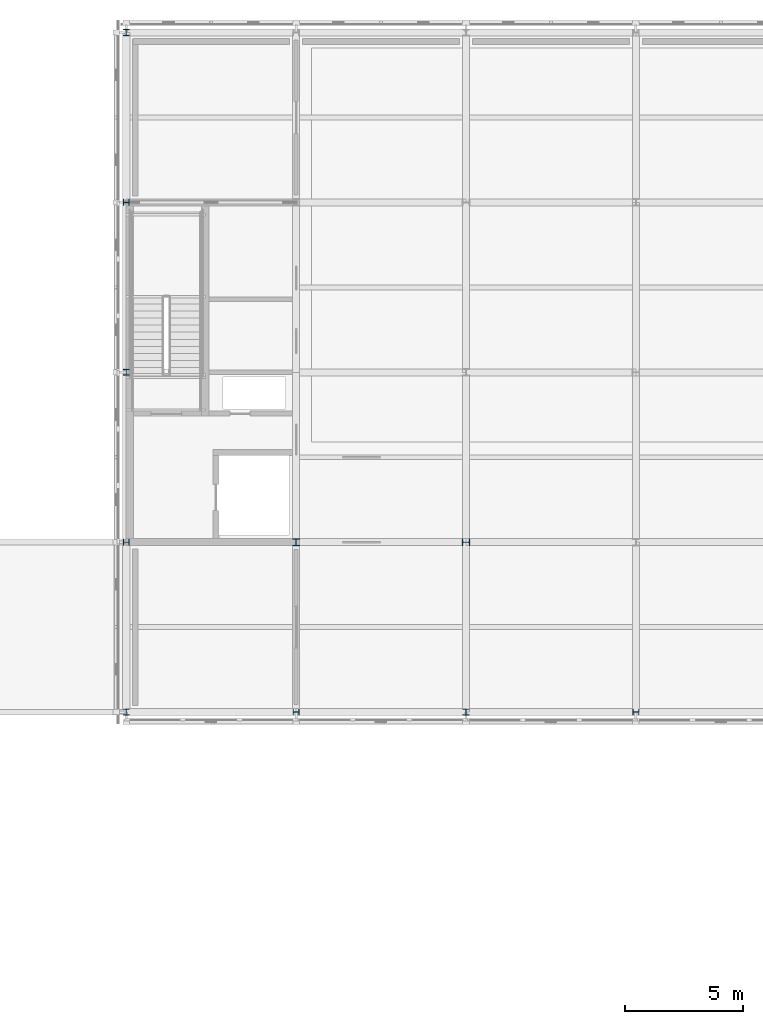
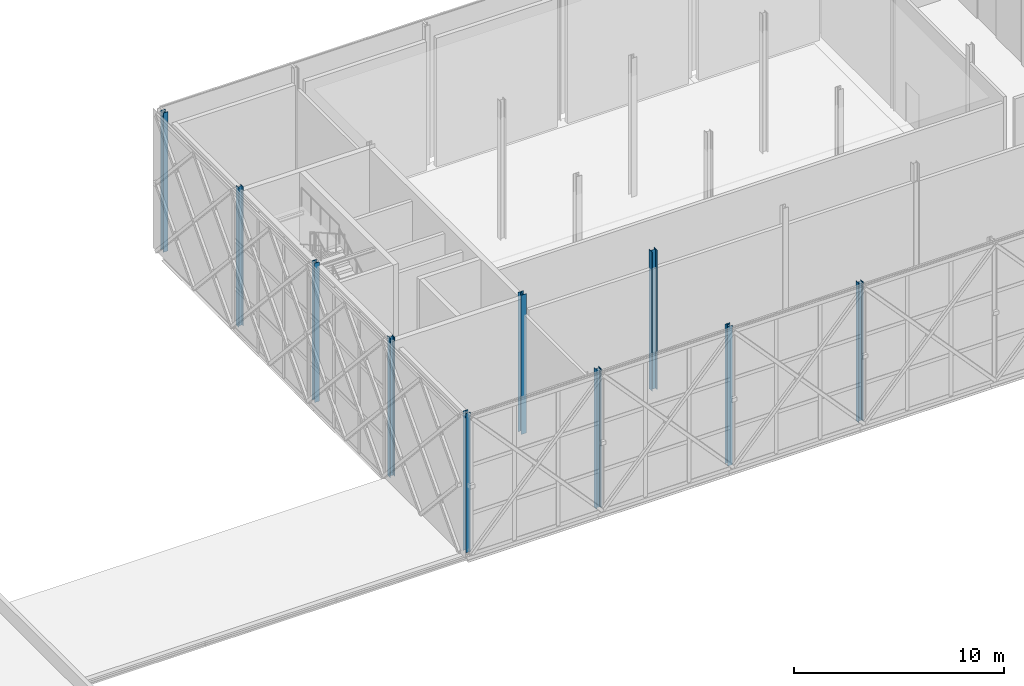
# One storey, part 4 of 76: 10 columns.
"""IFC4 building model written with IfcOpenShell, lengths in metres."""

import ifcopenshell
import ifcopenshell.guid

model = None  # the IFC model being written
_history = None  # IfcOwnerHistory: only IFC2X3 demands one
_inside = {}  # id of a spatial element -> (the spatial element, [elements in it])
_under = {}  # id of a project, library or spatial element -> (it, [spatial elements below it])
_declared = {}  # id of a project -> (the project, [libraries it declares])
_typed = {}  # id of a type object -> (the type object, [elements of that type])
_made_of = {}  # id of a material, layer set ... -> (it, [elements and type objects made of it])


def new_model(schema):
    """Start an empty IFC model of exactly this schema.

    Asked for "IFC4X3", IfcOpenShell would pick the latest addendum, in which some entities
    have other attributes; the version numbers below select the first issue.
    IFC2X3 requires an IfcOwnerHistory on every rooted entity: one is made here for all.
    """
    global model, _history
    if schema == "IFC4X3":
        model = ifcopenshell.file(schema_version=(4, 3, 0, 0))
    else:
        model = ifcopenshell.file(schema=schema)
    _inside.clear()
    _under.clear()
    _declared.clear()
    _typed.clear()
    _made_of.clear()
    _history = None
    if model.schema == "IFC2X3":
        org = make("IfcOrganization", Name="unknown")
        user = make(
            "IfcPersonAndOrganization",
            ThePerson=make("IfcPerson", FamilyName="unknown"),
            TheOrganization=org,
        )
        app = make(
            "IfcApplication",
            ApplicationDeveloper=org,
            Version="unknown",
            ApplicationFullName="unknown",
            ApplicationIdentifier="unknown",
        )
        _history = make(
            "IfcOwnerHistory",
            OwningUser=user,
            OwningApplication=app,
            ChangeAction="ADDED",
            CreationDate=0,
        )
    return model


def make(cls, **values):
    """One entity of the class cls with the attributes given. An attribute that is None is left unset."""
    return model.create_entity(
        cls, **{name: value for name, value in values.items() if value is not None}
    )


def rooted(cls, **values):
    """An entity with a GlobalId (a new one), such as an element, a storey or a relation."""
    return make(cls, GlobalId=ifcopenshell.guid.new(), OwnerHistory=_history, **values)


def si_unit(unit_type, name, prefix=None):
    """IfcSIUnit, for example si_unit("LENGTHUNIT", "METRE", prefix="MILLI")."""
    return make("IfcSIUnit", UnitType=unit_type, Prefix=prefix, Name=name)


def assignment(units):
    """IfcUnitAssignment: the units of a project."""
    return None if units is None else make("IfcUnitAssignment", Units=units)


def point(xyz):
    """IfcCartesianPoint."""
    return None if xyz is None else make("IfcCartesianPoint", Coordinates=xyz)


def direction(xyz):
    """IfcDirection."""
    return None if xyz is None else make("IfcDirection", DirectionRatios=xyz)


def frame(location, z_axis=None, x_axis=None):
    """IfcAxis2Placement3D, a coordinate frame: its origin and axes. An axis left out is left unset."""
    return make(
        "IfcAxis2Placement3D",
        Location=point(location),
        Axis=direction(z_axis),
        RefDirection=direction(x_axis),
    )


def frame_2d(location, x_axis=None):
    """IfcAxis2Placement2D, a coordinate frame in the plane: its origin and x axis."""
    return make(
        "IfcAxis2Placement2D", Location=point(location), RefDirection=direction(x_axis)
    )


def origin():
    """The frame at (0, 0, 0) with its axes left unset."""
    return frame((0.0, 0.0, 0.0))


def origin_2d():
    """The frame at (0, 0) in the plane with its x axis left unset."""
    return frame_2d((0.0, 0.0))


def place(relative_to, where):
    """IfcLocalPlacement: puts the frame where relative to a parent placement (None: the world)."""
    return make(
        "IfcLocalPlacement", PlacementRelTo=relative_to, RelativePlacement=where
    )


def context(
    kind, dimensions, precision=None, world=None, true_north=None, identifier=None
):
    """IfcGeometricRepresentationContext, for example the 3D "Model" context."""
    return make(
        "IfcGeometricRepresentationContext",
        ContextIdentifier=identifier,
        ContextType=kind,
        CoordinateSpaceDimension=dimensions,
        Precision=precision,
        WorldCoordinateSystem=world,
        TrueNorth=true_north,
    )


def subcontext(parent, identifier, kind, view, scale=None):
    """IfcGeometricRepresentationSubContext, for example "Body" below "Model"."""
    return make(
        "IfcGeometricRepresentationSubContext",
        ContextIdentifier=identifier,
        ContextType=kind,
        ParentContext=parent,
        TargetScale=scale,
        TargetView=view,
    )


def project(units=None, contexts=None):
    """IfcProject with its units and contexts."""
    return rooted(
        "IfcProject",
        Name="project",
        RepresentationContexts=contexts,
        UnitsInContext=assignment(units),
    )


def spatial(cls, under=None, at=None, **own):
    """A site, building, storey or space (cls), placed at a placement, below another one or the project."""
    s = rooted(cls, ObjectPlacement=at, **own)
    if under is not None:
        _under.setdefault(under.id(), (under, []))[1].append(s)
    return s


def profile(cls, at=None, kind="AREA", **sizes):
    """A parametric profile (cls). Its sizes go by their IFC names, for example OverallWidth=200.0."""
    return make(cls, ProfileType=kind, Position=at, **sizes)


def i_section(**sizes):
    """IfcIShapeProfileDef."""
    return profile("IfcIShapeProfileDef", **sizes)


def extrude(swept, where, along, depth):
    """IfcExtrudedAreaSolid: the profile swept, set in the frame where, extruded along a direction by depth."""
    return make(
        "IfcExtrudedAreaSolid",
        SweptArea=swept,
        Position=where,
        ExtrudedDirection=direction(along),
        Depth=depth,
    )


def shape(context_of_items, identifier, shape_type, items):
    """IfcShapeRepresentation: the items that make up one representation, for example the "Body"."""
    return make(
        "IfcShapeRepresentation",
        ContextOfItems=context_of_items,
        RepresentationIdentifier=identifier,
        RepresentationType=shape_type,
        Items=items,
    )


def material(Name=None, Category=None):
    """IfcMaterial."""
    return make("IfcMaterial", Name=Name, Category=Category)


def material_profile(
    of_material, cross_section, Name=None, Category=None, Priority=None
):
    """IfcMaterialProfile: a cross section and its material."""
    return make(
        "IfcMaterialProfile",
        Name=Name,
        Material=of_material,
        Profile=cross_section,
        Priority=Priority,
        Category=Category,
    )


def profile_set(profiles, Name=None, composite=None):
    """IfcMaterialProfileSet."""
    return make(
        "IfcMaterialProfileSet",
        Name=Name,
        MaterialProfiles=profiles,
        CompositeProfile=composite,
    )


def made_of(thing, what):
    """Note that an element or type object is made of a material, layer set ...; save() writes the relation."""
    if what is not None:
        _made_of.setdefault(what.id(), (what, []))[1].append(thing)
    return thing


def type_object(cls, material=None, **own):
    """A type object (cls), such as IfcWallType, which elements share."""
    return made_of(rooted(cls, **own), material)


def element(
    cls,
    number,
    at=None,
    inside=None,
    cuts=None,
    type_object=None,
    material=None,
    context=None,
    identifier="Body",
    shape_type=None,
    held_by="IfcProductDefinitionShape",
    body=None,
    shapes=None,
    **own,
):
    """One element of the class cls, such as IfcWall. Its Tag is "e" and its number.

    at: its placement. inside: the storey or other place that contains it. cuts: it is an
    opening in that element (IfcRelVoidsElement). A single representation is given by context,
    identifier, shape_type and body (its items); several are given by shapes. held_by: the class
    of the entity that holds the representations. save() writes the other relations.
    """
    e = rooted(cls, Tag="e%d" % number, ObjectPlacement=at, **own)
    if body is not None:
        shapes = [shape(context, identifier, shape_type, body)]
    if shapes is not None:
        e.Representation = make(held_by, Representations=shapes)
    if inside is not None:
        _inside.setdefault(inside.id(), (inside, []))[1].append(e)
    if cuts is not None:
        rooted(
            "IfcRelVoidsElement", RelatingBuildingElement=cuts, RelatedOpeningElement=e
        )
    if type_object is not None:
        _typed.setdefault(type_object.id(), (type_object, []))[1].append(e)
    return made_of(e, material)


def aggregate(whole, parts):
    """IfcRelAggregates: a whole, such as a stair, and the parts it consists of."""
    return rooted("IfcRelAggregates", RelatingObject=whole, RelatedObjects=parts)


def save(model, path):
    """Write the relations noted so far, then the file.

    IfcRelAggregates (storeys below a building ...), IfcRelContainedInSpatialStructure (elements
    in a storey), IfcRelDefinesByType, IfcRelAssociatesMaterial and IfcRelDeclares: one each for
    every whole, place, type object, material and project.
    """
    for whole, parts in _under.values():
        aggregate(whole, parts)
    for where, things in _inside.values():
        rooted(
            "IfcRelContainedInSpatialStructure",
            RelatedElements=things,
            RelatingStructure=where,
        )
    for kind, things in _typed.values():
        rooted("IfcRelDefinesByType", RelatedObjects=things, RelatingType=kind)
    for what, things in _made_of.values():
        rooted("IfcRelAssociatesMaterial", RelatedObjects=things, RelatingMaterial=what)
    for by, libraries in _declared.values():
        rooted("IfcRelDeclares", RelatingContext=by, RelatedDefinitions=libraries)
    model.write(path)


model = new_model("IFC4")

# Units and contexts
model_context = context("Model", 3, precision=1e-05, world=origin(), true_north=direction((0.0, 1.0)))
body_context = subcontext(model_context, "Body", "Model", "MODEL_VIEW")
ifc_project = project(units=[si_unit("LENGTHUNIT", "METRE"), si_unit("AREAUNIT", "SQUARE_METRE"), si_unit("VOLUMEUNIT", "CUBIC_METRE"), si_unit("PLANEANGLEUNIT", "RADIAN"), si_unit("MASSUNIT", "GRAM", prefix="KILO")], contexts=[model_context])

# Site, building, storey
site_placement = place(None, origin())
site = spatial("IfcSite", under=ifc_project, at=site_placement, CompositionType="ELEMENT")
building_placement = place(site_placement, origin())
building = spatial("IfcBuilding", under=site, at=building_placement, Name="Zlatovets Crest Museum", CompositionType="ELEMENT")
storey_placement = place(building_placement, frame((0.0, 0.0, 17.10009765625)))
storey = spatial("IfcBuildingStorey", under=building, at=storey_placement, Name="L04", CompositionType="ELEMENT", Elevation=17.10009765625)

# Columns
ifc_material = material(Name="Structural steel S355J2", Category="steel")
ifc_material_profile_1 = material_profile(ifc_material, i_section(OverallWidth=0.300048828125, OverallDepth=0.300048828125, WebThickness=0.010986328125, FlangeThickness=0.01904296875, FilletRadius=0.027099609375, at=origin_2d()), Name="HEB 300")
ifc_profile_set_1 = profile_set([ifc_material_profile_1], Name="Structural steel S355J2")
column_type_1 = type_object("IfcColumnType", Name="Col_C-09", PredefinedType="COLUMN", material=ifc_profile_set_1)
for number, where, z_axis, x_axis, name in (
    (1, (64.800048828125, 93.60009765625, 0.0), (0.0, 0.0, 1.0), (1.0, 0.0, 0.0), "V1 L04 Column (64.8, 93.6)"),
    (2, (72.0, 93.60009765625, 0.0), (0.0, 0.0, 1.0), (0.0, 1.0, 0.0), "V1 L04 Column (72.0, 93.6)"),
):
    element("IfcColumn", number, at=place(storey_placement, frame(where, z_axis=z_axis, x_axis=x_axis)), inside=storey, type_object=column_type_1, Name=name, PredefinedType="COLUMN", context=body_context, shape_type="SweptSolid", body=[
        extrude(i_section(OverallWidth=0.300048828125, OverallDepth=0.300048828125, WebThickness=0.010986328125, FlangeThickness=0.01904296875, FilletRadius=0.027099609375, at=origin_2d()), origin(), (0.0, 0.0, 1.0), 8.099853515625),
    ])
ifc_material_profile_2 = material_profile(ifc_material, i_section(OverallWidth=0.260009765625, OverallDepth=0.260009765625, WebThickness=0.010009765625, FlangeThickness=0.017578125, FilletRadius=0.02392578125, at=origin_2d()), Name="HEB 260")
ifc_profile_set_2 = profile_set([ifc_material_profile_2], Name="Structural steel S355J2")
column_type_2 = type_object("IfcColumnType", Name="Col_C-10", PredefinedType="COLUMN", material=ifc_profile_set_2)
for number, where, z_axis, x_axis, name in (
    (3, (57.60009765625, 86.39990234375, 0.0), (0.0, 0.0, 1.0), (1.0, 0.0, 0.0), "V1 L04 Column (57.6, 86.4)"),
    (4, (57.60009765625, 93.60009765625, 0.0), (0.0, 0.0, 1.0), (0.0, 1.0, 0.0), "V1 L04 Column (57.6, 93.6)"),
    (5, (57.60009765625, 100.800048828125, 0.0), (0.0, 0.0, 1.0), (1.0, 0.0, 0.0), "V1 L04 Column (57.6, 100.8)"),
    (6, (57.60009765625, 108.0, 0.0), (0.0, 0.0, 1.0), (0.0, 1.0, 0.0), "V1 L04 Column (57.6, 108.0)"),
    (7, (57.60009765625, 115.199951171875, 0.0), (0.0, 0.0, 1.0), (1.0, 0.0, 0.0), "V1 L04 Column (57.6, 115.2)"),
    (8, (64.800048828125, 86.39990234375, 0.0), (0.0, 0.0, 1.0), (0.0, 1.0, 0.0), "V1 L04 Column (64.8, 86.4)"),
    (9, (72.0, 86.39990234375, 0.0), (0.0, 0.0, 1.0), (1.0, 0.0, 0.0), "V1 L04 Column (72.0, 86.4)"),
    (10, (79.199951171875, 86.39990234375, 0.0), (0.0, 0.0, 1.0), (0.0, 1.0, 0.0), "V1 L04 Column (79.2, 86.4)"),
):
    element("IfcColumn", number, at=place(storey_placement, frame(where, z_axis=z_axis, x_axis=x_axis)), inside=storey, type_object=column_type_2, Name=name, PredefinedType="COLUMN", context=body_context, shape_type="SweptSolid", body=[
        extrude(i_section(OverallWidth=0.260009765625, OverallDepth=0.260009765625, WebThickness=0.010009765625, FlangeThickness=0.017578125, FilletRadius=0.02392578125, at=origin_2d()), origin(), (0.0, 0.0, 1.0), 8.099853515625),
    ])

save(model, "model.ifc")
